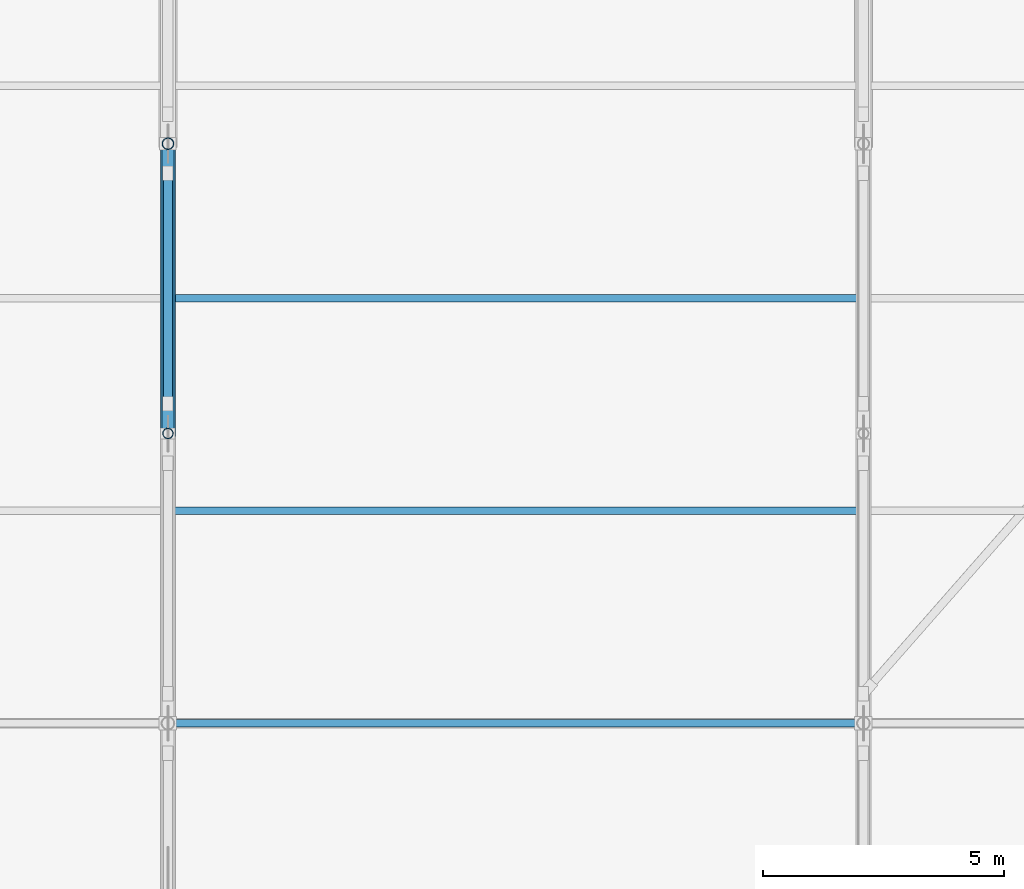
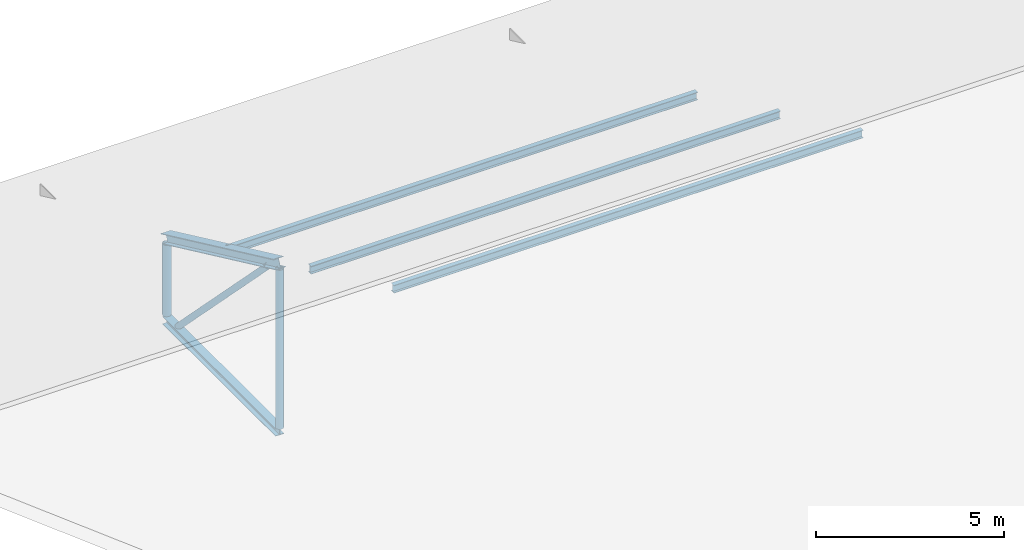
# One storey, part 107 of 141: 8 members, 1 element without a shape of its own.
"""IFC4 building model written with IfcOpenShell, lengths in metres."""

import ifcopenshell
import ifcopenshell.guid

model = None  # the IFC model being written
_history = None  # IfcOwnerHistory: only IFC2X3 demands one
_inside = {}  # id of a spatial element -> (the spatial element, [elements in it])
_under = {}  # id of a project, library or spatial element -> (it, [spatial elements below it])
_declared = {}  # id of a project -> (the project, [libraries it declares])
_typed = {}  # id of a type object -> (the type object, [elements of that type])
_made_of = {}  # id of a material, layer set ... -> (it, [elements and type objects made of it])


def new_model(schema):
    """Start an empty IFC model of exactly this schema.

    Asked for "IFC4X3", IfcOpenShell would pick the latest addendum, in which some entities
    have other attributes; the version numbers below select the first issue.
    IFC2X3 requires an IfcOwnerHistory on every rooted entity: one is made here for all.
    """
    global model, _history
    if schema == "IFC4X3":
        model = ifcopenshell.file(schema_version=(4, 3, 0, 0))
    else:
        model = ifcopenshell.file(schema=schema)
    _inside.clear()
    _under.clear()
    _declared.clear()
    _typed.clear()
    _made_of.clear()
    _history = None
    if model.schema == "IFC2X3":
        org = make("IfcOrganization", Name="unknown")
        user = make(
            "IfcPersonAndOrganization",
            ThePerson=make("IfcPerson", FamilyName="unknown"),
            TheOrganization=org,
        )
        app = make(
            "IfcApplication",
            ApplicationDeveloper=org,
            Version="unknown",
            ApplicationFullName="unknown",
            ApplicationIdentifier="unknown",
        )
        _history = make(
            "IfcOwnerHistory",
            OwningUser=user,
            OwningApplication=app,
            ChangeAction="ADDED",
            CreationDate=0,
        )
    return model


def make(cls, **values):
    """One entity of the class cls with the attributes given. An attribute that is None is left unset."""
    return model.create_entity(
        cls, **{name: value for name, value in values.items() if value is not None}
    )


def rooted(cls, **values):
    """An entity with a GlobalId (a new one), such as an element, a storey or a relation."""
    return make(cls, GlobalId=ifcopenshell.guid.new(), OwnerHistory=_history, **values)


def si_unit(unit_type, name, prefix=None):
    """IfcSIUnit, for example si_unit("LENGTHUNIT", "METRE", prefix="MILLI")."""
    return make("IfcSIUnit", UnitType=unit_type, Prefix=prefix, Name=name)


def assignment(units):
    """IfcUnitAssignment: the units of a project."""
    return None if units is None else make("IfcUnitAssignment", Units=units)


def point(xyz):
    """IfcCartesianPoint."""
    return None if xyz is None else make("IfcCartesianPoint", Coordinates=xyz)


def direction(xyz):
    """IfcDirection."""
    return None if xyz is None else make("IfcDirection", DirectionRatios=xyz)


def frame(location, z_axis=None, x_axis=None):
    """IfcAxis2Placement3D, a coordinate frame: its origin and axes. An axis left out is left unset."""
    return make(
        "IfcAxis2Placement3D",
        Location=point(location),
        Axis=direction(z_axis),
        RefDirection=direction(x_axis),
    )


def frame_2d(location, x_axis=None):
    """IfcAxis2Placement2D, a coordinate frame in the plane: its origin and x axis."""
    return make(
        "IfcAxis2Placement2D", Location=point(location), RefDirection=direction(x_axis)
    )


def origin():
    """The frame at (0, 0, 0) with its axes left unset."""
    return frame((0.0, 0.0, 0.0))


def origin_2d():
    """The frame at (0, 0) in the plane with its x axis left unset."""
    return frame_2d((0.0, 0.0))


def place(relative_to, where):
    """IfcLocalPlacement: puts the frame where relative to a parent placement (None: the world)."""
    return make(
        "IfcLocalPlacement", PlacementRelTo=relative_to, RelativePlacement=where
    )


def context(
    kind, dimensions, precision=None, world=None, true_north=None, identifier=None
):
    """IfcGeometricRepresentationContext, for example the 3D "Model" context."""
    return make(
        "IfcGeometricRepresentationContext",
        ContextIdentifier=identifier,
        ContextType=kind,
        CoordinateSpaceDimension=dimensions,
        Precision=precision,
        WorldCoordinateSystem=world,
        TrueNorth=true_north,
    )


def subcontext(parent, identifier, kind, view, scale=None):
    """IfcGeometricRepresentationSubContext, for example "Body" below "Model"."""
    return make(
        "IfcGeometricRepresentationSubContext",
        ContextIdentifier=identifier,
        ContextType=kind,
        ParentContext=parent,
        TargetScale=scale,
        TargetView=view,
    )


def project(units=None, contexts=None):
    """IfcProject with its units and contexts."""
    return rooted(
        "IfcProject",
        Name="project",
        RepresentationContexts=contexts,
        UnitsInContext=assignment(units),
    )


def spatial(cls, under=None, at=None, **own):
    """A site, building, storey or space (cls), placed at a placement, below another one or the project."""
    s = rooted(cls, ObjectPlacement=at, **own)
    if under is not None:
        _under.setdefault(under.id(), (under, []))[1].append(s)
    return s


def profile(cls, at=None, kind="AREA", **sizes):
    """A parametric profile (cls). Its sizes go by their IFC names, for example OverallWidth=200.0."""
    return make(cls, ProfileType=kind, Position=at, **sizes)


def hollow_circle(**sizes):
    """IfcCircleHollowProfileDef."""
    return profile("IfcCircleHollowProfileDef", **sizes)


def i_section(**sizes):
    """IfcIShapeProfileDef."""
    return profile("IfcIShapeProfileDef", **sizes)


def extrude(swept, where, along, depth):
    """IfcExtrudedAreaSolid: the profile swept, set in the frame where, extruded along a direction by depth."""
    return make(
        "IfcExtrudedAreaSolid",
        SweptArea=swept,
        Position=where,
        ExtrudedDirection=direction(along),
        Depth=depth,
    )


def shape(context_of_items, identifier, shape_type, items):
    """IfcShapeRepresentation: the items that make up one representation, for example the "Body"."""
    return make(
        "IfcShapeRepresentation",
        ContextOfItems=context_of_items,
        RepresentationIdentifier=identifier,
        RepresentationType=shape_type,
        Items=items,
    )


def material(Name=None, Category=None):
    """IfcMaterial."""
    return make("IfcMaterial", Name=Name, Category=Category)


def material_profile(
    of_material, cross_section, Name=None, Category=None, Priority=None
):
    """IfcMaterialProfile: a cross section and its material."""
    return make(
        "IfcMaterialProfile",
        Name=Name,
        Material=of_material,
        Profile=cross_section,
        Priority=Priority,
        Category=Category,
    )


def profile_set(profiles, Name=None, composite=None):
    """IfcMaterialProfileSet."""
    return make(
        "IfcMaterialProfileSet",
        Name=Name,
        MaterialProfiles=profiles,
        CompositeProfile=composite,
    )


def made_of(thing, what):
    """Note that an element or type object is made of a material, layer set ...; save() writes the relation."""
    if what is not None:
        _made_of.setdefault(what.id(), (what, []))[1].append(thing)
    return thing


def type_object(cls, material=None, **own):
    """A type object (cls), such as IfcWallType, which elements share."""
    return made_of(rooted(cls, **own), material)


def element(
    cls,
    number,
    at=None,
    inside=None,
    cuts=None,
    type_object=None,
    material=None,
    context=None,
    identifier="Body",
    shape_type=None,
    held_by="IfcProductDefinitionShape",
    body=None,
    shapes=None,
    **own,
):
    """One element of the class cls, such as IfcWall. Its Tag is "e" and its number.

    at: its placement. inside: the storey or other place that contains it. cuts: it is an
    opening in that element (IfcRelVoidsElement). A single representation is given by context,
    identifier, shape_type and body (its items); several are given by shapes. held_by: the class
    of the entity that holds the representations. save() writes the other relations.
    """
    e = rooted(cls, Tag="e%d" % number, ObjectPlacement=at, **own)
    if body is not None:
        shapes = [shape(context, identifier, shape_type, body)]
    if shapes is not None:
        e.Representation = make(held_by, Representations=shapes)
    if inside is not None:
        _inside.setdefault(inside.id(), (inside, []))[1].append(e)
    if cuts is not None:
        rooted(
            "IfcRelVoidsElement", RelatingBuildingElement=cuts, RelatedOpeningElement=e
        )
    if type_object is not None:
        _typed.setdefault(type_object.id(), (type_object, []))[1].append(e)
    return made_of(e, material)


def aggregate(whole, parts):
    """IfcRelAggregates: a whole, such as a stair, and the parts it consists of."""
    return rooted("IfcRelAggregates", RelatingObject=whole, RelatedObjects=parts)


def save(model, path):
    """Write the relations noted so far, then the file.

    IfcRelAggregates (storeys below a building ...), IfcRelContainedInSpatialStructure (elements
    in a storey), IfcRelDefinesByType, IfcRelAssociatesMaterial and IfcRelDeclares: one each for
    every whole, place, type object, material and project.
    """
    for whole, parts in _under.values():
        aggregate(whole, parts)
    for where, things in _inside.values():
        rooted(
            "IfcRelContainedInSpatialStructure",
            RelatedElements=things,
            RelatingStructure=where,
        )
    for kind, things in _typed.values():
        rooted("IfcRelDefinesByType", RelatedObjects=things, RelatingType=kind)
    for what, things in _made_of.values():
        rooted("IfcRelAssociatesMaterial", RelatedObjects=things, RelatingMaterial=what)
    for by, libraries in _declared.values():
        rooted("IfcRelDeclares", RelatingContext=by, RelatedDefinitions=libraries)
    model.write(path)


model = new_model("IFC4")

# Units and contexts
model_context = context("Model", 3, precision=1e-05, world=origin(), true_north=direction((0.0, 1.0)))
body_context = subcontext(model_context, "Body", "Model", "MODEL_VIEW")
ifc_project = project(units=[si_unit("LENGTHUNIT", "METRE"), si_unit("AREAUNIT", "SQUARE_METRE"), si_unit("VOLUMEUNIT", "CUBIC_METRE"), si_unit("PLANEANGLEUNIT", "RADIAN"), si_unit("MASSUNIT", "GRAM", prefix="KILO")], contexts=[model_context])

# Site, building, storey
site_placement = place(None, origin())
site = spatial("IfcSite", under=ifc_project, at=site_placement, CompositionType="ELEMENT")
building_placement = place(site_placement, origin())
building = spatial("IfcBuilding", under=site, at=building_placement, Name="Seraya Terrace Polytechnic", CompositionType="ELEMENT")
storey_placement = place(building_placement, frame((0.0, 0.0, 14.39990234375)))
storey = spatial("IfcBuildingStorey", under=building, at=storey_placement, Name="L03", CompositionType="ELEMENT", Elevation=14.39990234375)

# Assembly, members
ifc_material = material(Name="Steel S355J2", Category="steel")
element_assembly_type = type_object("IfcElementAssemblyType", Name="TR-A1", PredefinedType="TRUSS", material=ifc_material)
assembly_placement = place(storey_placement, origin())
assembly = element("IfcElementAssembly", 1, at=assembly_placement, inside=storey, type_object=element_assembly_type, Name="Pitched steel roof truss TR-06", AssemblyPlace="SITE", PredefinedType="TRUSS")
ifc_material_profile_1 = material_profile(ifc_material, i_section(OverallWidth=0.25390625, OverallDepth=0.25390625, WebThickness=0.0107421875, FlangeThickness=0.017333984375, at=origin_2d()), Name="UKC 254x254x10.7x17.3")
ifc_profile_set_1 = profile_set([ifc_material_profile_1], Name="Steel S355J2")
member_type_1 = type_object("IfcMemberType", Name="BC-02", PredefinedType="CHORD", material=ifc_profile_set_1)
member_1_placement = place(storey_placement, frame((86.39990234375, 103.199951171875, 0.150146484375), z_axis=(0.0, 1.0, 0.0), x_axis=(-1.0, 0.0, 0.0)))
member_1 = element("IfcMember", 2, at=member_1_placement, type_object=member_type_1, Name="TR-06 bottom chord 5", PredefinedType="CHORD", context=body_context, shape_type="SweptSolid", body=[
    extrude(i_section(OverallWidth=0.25390625, OverallDepth=0.25390625, WebThickness=0.0107421875, FlangeThickness=0.017333984375, at=origin_2d()), origin(), (0.0, 0.0, 1.0), 6.0),
])
ifc_material_profile_2 = material_profile(ifc_material, hollow_circle(Radius=0.096923828125, WallThickness=0.010009765625, at=origin_2d()), Name="CHS 193.7x10.0")
ifc_profile_set_2 = profile_set([ifc_material_profile_2], Name="Steel S355J2")
member_type_2 = type_object("IfcMemberType", Name="BR-02", PredefinedType="BRACE", material=ifc_profile_set_2)
member_2_placement = place(storey_placement, frame((86.39990234375, 103.820068359375, 5.144287109375), z_axis=(0.0, 0.700213947338, -0.713933069659), x_axis=(-1.0, 0.0, 0.0)))
member_2 = element("IfcMember", 3, at=member_2_placement, type_object=member_type_2, Name="TR-06 web diagonal 5", PredefinedType="BRACE", context=body_context, shape_type="SweptSolid", body=[
    extrude(hollow_circle(Radius=0.096923828125, WallThickness=0.010009765625, at=origin_2d()), origin(), (0.0, 0.0, 1.0), 6.7978515625),
])

# Members
ifc_material_profile_3 = material_profile(ifc_material, i_section(OverallWidth=0.14599609375, OverallDepth=0.25390625, WebThickness=0.007080078125, FlangeThickness=0.01416015625, at=origin_2d()), Name="UKB 254x146x7.2x14.2")
ifc_profile_set_3 = profile_set([ifc_material_profile_3], Name="Steel S355J2")
member_type_3 = type_object("IfcMemberType", Name="PR-01", PredefinedType="PURLIN", material=ifc_profile_set_3)
for number, where, z_axis, x_axis, name in (
    (4, (86.39990234375, 97.199951171875, 8.43017578125), (1.0, 0.0, 0.0), (0.0, 1.0, 0.0), "Workshop roof purlin PR-01 bay 6.6"),
    (5, (86.39990234375, 101.60009765625, 6.376953125), (1.0, 0.0, 0.0), (0.0, 1.0, 0.0), "Workshop roof purlin PR-01 bay 6.7"),
    (6, (86.39990234375, 106.0, 4.323486328125), (1.0, 0.0, 0.0), (0.0, 1.0, 0.0), "Workshop roof purlin PR-01 bay 6.8"),
):
    element("IfcMember", number, at=place(storey_placement, frame(where, z_axis=z_axis, x_axis=x_axis)), inside=storey, type_object=member_type_3, Name=name, PredefinedType="PURLIN", context=body_context, shape_type="SweptSolid", body=[
        extrude(i_section(OverallWidth=0.14599609375, OverallDepth=0.25390625, WebThickness=0.007080078125, FlangeThickness=0.01416015625, at=origin_2d()), origin(), (0.0, 0.0, 1.0), 14.400146484375),
    ])

# Member
ifc_material_profile_4 = material_profile(ifc_material, hollow_circle(Radius=0.122314453125, WallThickness=0.012451171875, at=origin_2d()), Name="CHS 244.5x12.5")
ifc_profile_set_4 = profile_set([ifc_material_profile_4], Name="Steel S355J2")
member_type_4 = type_object("IfcMemberType", Name="ST-M2", PredefinedType="STRUT", material=ifc_profile_set_4)
member_3_placement = place(storey_placement, frame((86.39990234375, 109.199951171875, 0.306640625), z_axis=(0.0, 0.0, 1.0), x_axis=(1.0, 0.0, 0.0)))
member_3 = element("IfcMember", 7, at=member_3_placement, type_object=member_type_4, Name="TR-06 vertical strut 6", PredefinedType="STRUT", context=body_context, shape_type="SweptSolid", body=[
    extrude(hollow_circle(Radius=0.122314453125, WallThickness=0.012451171875, at=origin_2d()), origin(), (0.0, 0.0, 1.0), 2.3115234375),
])

ifc_material_profile_5 = material_profile(ifc_material, hollow_circle(Radius=0.109619140625, WallThickness=0.010009765625, at=origin_2d()), Name="CHS 219.1x10.0")
ifc_profile_set_5 = profile_set([ifc_material_profile_5], Name="Steel S355J2")
member_type_5 = type_object("IfcMemberType", Name="ST-M3", PredefinedType="STRUT", material=ifc_profile_set_5)
member_4_placement = place(storey_placement, frame((86.39990234375, 103.199951171875, 0.281005859375), z_axis=(0.0, 0.0, 1.0), x_axis=(1.0, 0.0, 0.0)))
member_4 = element("IfcMember", 8, at=member_4_placement, type_object=member_type_5, Name="TR-06 vertical strut 5", PredefinedType="STRUT", context=body_context, shape_type="SweptSolid", body=[
    extrude(hollow_circle(Radius=0.109619140625, WallThickness=0.010009765625, at=origin_2d()), origin(), (0.0, 0.0, 1.0), 5.16259765625),
])

ifc_material_profile_6 = material_profile(ifc_material, i_section(OverallWidth=0.304931640625, OverallDepth=0.304931640625, WebThickness=0.011962890625, FlangeThickness=0.019775390625, at=origin_2d()), Name="UKC 305x305x12.0x19.7")
ifc_profile_set_6 = profile_set([ifc_material_profile_6], Name="Steel S355J2")
member_type_6 = type_object("IfcMemberType", Name="TC-02", PredefinedType="CHORD", material=ifc_profile_set_6)
member_5_placement = place(storey_placement, frame((86.39990234375, 103.199951171875, 5.60009765625), z_axis=(0.0, 0.906180313975, -0.422891521036), x_axis=(-1.0, 0.0, 0.0)))
member_5 = element("IfcMember", 9, at=member_5_placement, type_object=member_type_6, Name="TR-06 top chord 5", PredefinedType="CHORD", context=body_context, shape_type="SweptSolid", body=[
    extrude(i_section(OverallWidth=0.304931640625, OverallDepth=0.304931640625, WebThickness=0.011962890625, FlangeThickness=0.019775390625, at=origin_2d()), origin(), (0.0, 0.0, 1.0), 6.62109375),
])

aggregate(assembly, [member_1, member_5, member_4, member_3, member_2])

save(model, "model.ifc")
